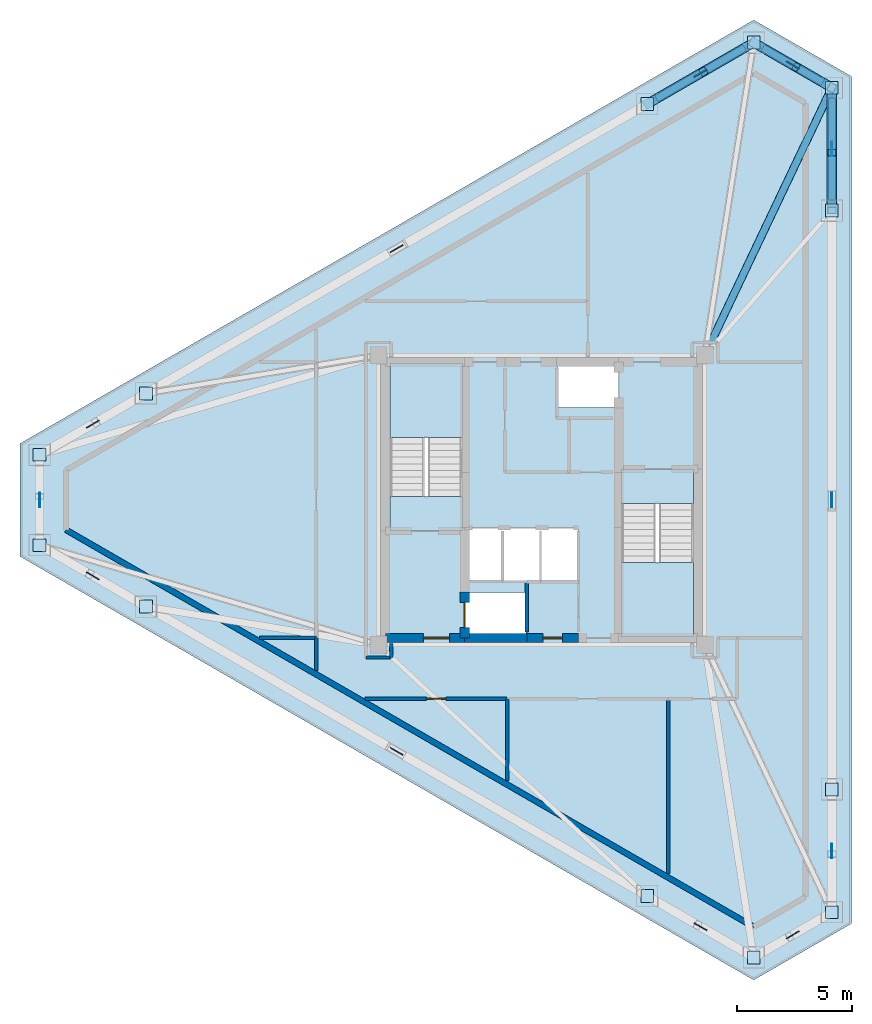
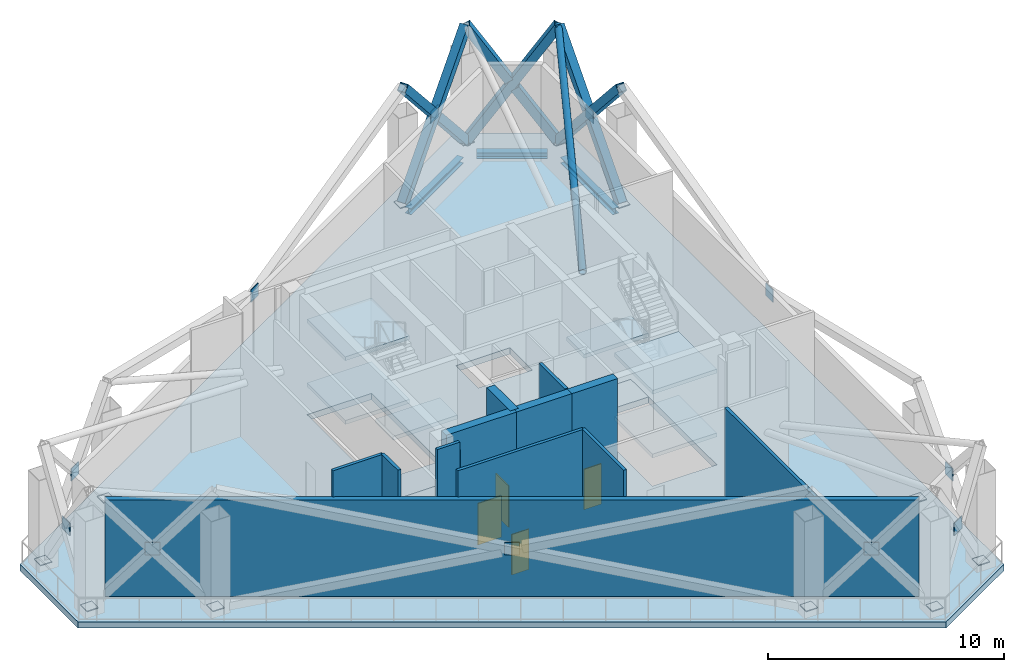
# One storey, part 2 of 6: 24 plates, 13 walls, 10 members, 9 slabs, 4 doors, 3 beams, 4 openings, 2 elements without a shape of their own.
"""IFC4 building model written with IfcOpenShell, lengths in metres."""

from ifc_helpers import new_model, si_unit, direction, frame, frame_2d, origin, origin_2d, place, context, subcontext, project, spatial, polyline, rectangle, hollow_rectangle, hollow_circle, i_section, outline, extrude, material, layer, layer_set, material_profile, profile_set, type_object, element, fill, aggregate, save


model = new_model("IFC4")

# Units and contexts
model_context = context("Model", 3, precision=1e-05, world=origin(), true_north=direction((0.0, 1.0)))
body_context = subcontext(model_context, "Body", "Model", "MODEL_VIEW")
ifc_project = project(units=[si_unit("LENGTHUNIT", "METRE"), si_unit("AREAUNIT", "SQUARE_METRE"), si_unit("VOLUMEUNIT", "CUBIC_METRE"), si_unit("PLANEANGLEUNIT", "RADIAN"), si_unit("MASSUNIT", "GRAM", prefix="KILO")], contexts=[model_context])

# Site, building, storey
site_placement = place(None, origin())
site = spatial("IfcSite", under=ifc_project, at=site_placement, CompositionType="ELEMENT")
building_placement = place(site_placement, origin())
building = spatial("IfcBuilding", under=site, at=building_placement, Name="Mersakhor Tower and Convention Hall", CompositionType="ELEMENT")
storey_placement = place(building_placement, frame((0.0, 0.0, 160.800048828125)))
storey = spatial("IfcBuildingStorey", under=building, at=storey_placement, Name="L45", CompositionType="ELEMENT", Elevation=160.800048828125)

# Beams
ifc_material_1 = material(Name="Steel S355", Category="steel")
ifc_material_profile_1 = material_profile(ifc_material_1, i_section(OverallWidth=0.30908203125, OverallDepth=0.320556640625, WebThickness=0.013916015625, FlangeThickness=0.021728515625, at=origin_2d()), Name="UC 305x305x137")
ifc_profile_set_1 = profile_set([ifc_material_profile_1], Name="Steel S355")
beam_type = type_object("IfcBeamType", Name="BM-SPD-UC305", PredefinedType="SPANDREL", material=ifc_profile_set_1)
beam_1_placement = place(storey_placement, frame((33.986572265625, 44.200439453125, -0.48046875), z_axis=(0.866038875684, 0.49997666526, 0.0), x_axis=(-0.49997666526, 0.866038875684, 0.0)))
element("IfcBeam", 1, at=beam_1_placement, inside=storey, type_object=beam_type, Name="L45 Perimeter Spandrel Beam SPB-03", PredefinedType="SPANDREL", context=body_context, shape_type="SweptSolid", body=[
    extrude(i_section(OverallWidth=0.30908203125, OverallDepth=0.320556640625, WebThickness=0.013916015625, FlangeThickness=0.021728515625, at=origin_2d()), origin(), (0.0, 0.0, 1.0), 4.433837890625),
])
beam_2_placement = place(storey_placement, frame((38.614501953125, 46.417236328125, -0.48046875), z_axis=(0.86604667077, -0.499963162692, 0.0), x_axis=(0.499963162692, 0.86604667077, 0.0)))
element("IfcBeam", 2, at=beam_2_placement, inside=storey, type_object=beam_type, Name="L45 Perimeter Spandrel Beam SPB-04", PredefinedType="SPANDREL", context=body_context, shape_type="SweptSolid", body=[
    extrude(i_section(OverallWidth=0.30908203125, OverallDepth=0.320556640625, WebThickness=0.013916015625, FlangeThickness=0.021728515625, at=origin_2d()), origin(), (0.0, 0.0, 1.0), 3.014404296875),
])
beam_3_placement = place(storey_placement, frame((41.619140625, 44.2275390625, -0.48046875), z_axis=(0.0, -1.0, 0.0), x_axis=(1.0, 0.0, 0.0)))
element("IfcBeam", 3, at=beam_3_placement, inside=storey, type_object=beam_type, Name="L45 Perimeter Spandrel Beam SPB-05", PredefinedType="SPANDREL", context=body_context, shape_type="SweptSolid", body=[
    extrude(i_section(OverallWidth=0.30908203125, OverallDepth=0.320556640625, WebThickness=0.013916015625, FlangeThickness=0.021728515625, at=origin_2d()), origin(), (0.0, 0.0, 1.0), 4.433837890625),
])

# Members
ifc_material_2 = material(Name="Steel S460", Category="steel")
ifc_material_profile_2 = material_profile(ifc_material_2, hollow_rectangle(XDim=0.39990234375, YDim=0.39990234375, WallThickness=0.02490234375, at=origin_2d()), Name="SHS 400x400x25")
ifc_profile_set_2 = profile_set([ifc_material_profile_2], Name="Steel S460")
member_type_1 = type_object("IfcMemberType", Name="MB-BRC-SHS400", PredefinedType="BRACE", material=ifc_profile_set_2)
member_1_placement = place(storey_placement, frame((33.592529296875, 43.972900390625, 0.199951171875), z_axis=(0.575991748478, 0.332541342865, 0.746759506783), x_axis=(-0.499991375441, 0.866030383119, 0.0)))
element("IfcMember", 4, at=member_1_placement, inside=storey, type_object=member_type_1, Name="L45 Wind Zone Perimeter Diagonal WD-03A", PredefinedType="BRACE", context=body_context, shape_type="SweptSolid", body=[
    extrude(hollow_rectangle(XDim=0.39990234375, YDim=0.39990234375, WallThickness=0.02490234375, at=origin_2d()), origin(), (0.0, 0.0, 1.0), 8.03466796875),
])
for number, where, z_axis, x_axis, name in (
    (5, (38.220458984375, 46.644775390625, 0.199951171875), (-0.575976575394, -0.33254569196, 0.746769273173), (0.500006158363, -0.866021848223, 0.0), "L45 Wind Zone Perimeter Diagonal WD-03B Lower Half"),
    (6, (35.785888671875, 45.2392578125, 3.356201171875), (-0.575976575394, -0.33254569196, 0.746769273173), (0.500006158363, -0.866021848223, 0.0), "L45 Wind Zone Perimeter Diagonal WD-03B Upper Half"),
):
    element("IfcMember", number, at=place(storey_placement, frame(where, z_axis=z_axis, x_axis=x_axis)), inside=storey, type_object=member_type_1, Name=name, PredefinedType="BRACE", context=body_context, shape_type="SweptSolid", body=[
        extrude(hollow_rectangle(XDim=0.39990234375, YDim=0.39990234375, WallThickness=0.02490234375, at=origin_2d()), origin(), (0.0, 0.0, 1.0), 3.80810546875),
    ])
member_2_placement = place(storey_placement, frame((38.220458984375, 46.644775390625, 0.199951171875), z_axis=(0.474050131864, -0.273682990431, 0.836883560138), x_axis=(0.499986324622, 0.866033299124, 0.0)))
element("IfcMember", 7, at=member_2_placement, inside=storey, type_object=member_type_1, Name="L45 Wind Zone Perimeter Diagonal WD-04A", PredefinedType="BRACE", context=body_context, shape_type="SweptSolid", body=[
    extrude(hollow_rectangle(XDim=0.39990234375, YDim=0.39990234375, WallThickness=0.02490234375, at=origin_2d()), origin(), (0.0, 0.0, 1.0), 7.16943359375),
])
for number, where, z_axis, x_axis, name in (
    (8, (41.619140625, 44.6826171875, 0.199951171875), (-0.474051102869, 0.273700721101, 0.836877211506), (-0.500009850223, -0.866019716681, 0.0), "L45 Wind Zone Perimeter Diagonal WD-04B Lower Half"),
    (9, (39.8125, 45.7255859375, 3.389404296875), (-0.474051102869, 0.273700721101, 0.836877211506), (-0.500009850223, -0.866019716681, 0.0), "L45 Wind Zone Perimeter Diagonal WD-04B Upper Half"),
):
    element("IfcMember", number, at=place(storey_placement, frame(where, z_axis=z_axis, x_axis=x_axis)), inside=storey, type_object=member_type_1, Name=name, PredefinedType="BRACE", context=body_context, shape_type="SweptSolid", body=[
        extrude(hollow_rectangle(XDim=0.39990234375, YDim=0.39990234375, WallThickness=0.02490234375, at=origin_2d()), origin(), (0.0, 0.0, 1.0), 3.3583984375),
    ])
member_3_placement = place(storey_placement, frame((41.619140625, 44.6826171875, 0.199951171875), z_axis=(0.0, -0.66510470489, 0.746750113179), x_axis=(1.0, 0.0, 0.0)))
element("IfcMember", 10, at=member_3_placement, inside=storey, type_object=member_type_1, Name="L45 Wind Zone Perimeter Diagonal WD-05A", PredefinedType="BRACE", context=body_context, shape_type="SweptSolid", body=[
    extrude(hollow_rectangle(XDim=0.39990234375, YDim=0.39990234375, WallThickness=0.02490234375, at=origin_2d()), origin(), (0.0, 0.0, 1.0), 8.034912109375),
])
for number, where, z_axis, x_axis, name in (
    (11, (41.619140625, 39.338623046875, 0.199951171875), (0.0, 0.665087760425, 0.746765204688), (-1.0, 0.0, 0.0), "L45 Wind Zone Perimeter Diagonal WD-05B Lower Half"),
    (12, (41.619140625, 42.14990234375, 3.356201171875), (0.0, 0.665087760425, 0.746765204688), (-1.0, 0.0, 0.0), "L45 Wind Zone Perimeter Diagonal WD-05B Upper Half"),
):
    element("IfcMember", number, at=place(storey_placement, frame(where, z_axis=z_axis, x_axis=x_axis)), inside=storey, type_object=member_type_1, Name=name, PredefinedType="BRACE", context=body_context, shape_type="SweptSolid", body=[
        extrude(hollow_rectangle(XDim=0.39990234375, YDim=0.39990234375, WallThickness=0.02490234375, at=origin_2d()), origin(), (0.0, 0.0, 1.0), 3.80810546875),
    ])
ifc_material_3 = material(Name="Steel S355", Category="steel")
ifc_material_profile_3 = material_profile(ifc_material_3, hollow_circle(Radius=0.161865234375, WallThickness=0.02001953125, at=origin_2d()), Name="CHS 323.9x20")
ifc_profile_set_3 = profile_set([ifc_material_profile_3], Name="Steel S355")
member_type_2 = type_object("IfcMemberType", Name="MB-STR-CHS324", PredefinedType="STRUT", material=ifc_profile_set_3)
member_4_placement = place(storey_placement, frame((36.10009765625, 33.050048828125, 2.3798828125), z_axis=(0.410943712388, 0.866152130591, 0.284439364228), x_axis=(-0.903470868878, 0.428649494446, 0.0)))
element("IfcMember", 13, at=member_4_placement, inside=storey, type_object=member_type_2, Name="L45 Radial Structural Strut RS-4", PredefinedType="STRUT", context=body_context, shape_type="SweptSolid", body=[
    extrude(hollow_circle(Radius=0.161865234375, WallThickness=0.02001953125, at=origin_2d()), origin(), (0.0, 0.0, 1.0), 13.43017578125),
])

# Plates
ifc_material_4 = material(Name="Steel S355", Category="steel")
ifc_layer_1 = layer(ifc_material_4, 0.031982421875)
ifc_layer_set_1 = layer_set([ifc_layer_1], Name="Steel S355")
plate_type_1 = type_object("IfcPlateType", Name="PL-CAP-32", PredefinedType="SHEET", material=ifc_layer_set_1)
for number, where, z_axis, x_axis, name in (
    (14, (7.160400390625, 28.71240234375, 0.18408203125), (0.0, 0.0, 1.0), (1.0, 0.0, 0.0), "L45 Truss Node Cap Plate NC-01"),
    (15, (11.788330078125, 31.38427734375, 0.18408203125), (0.0, 0.0, 1.0), (1.0, 0.0, 0.0), "L45 Truss Node Cap Plate NC-02"),
    (16, (33.592529296875, 43.972900390625, 0.18408203125), (0.0, 0.0, 1.0), (1.0, 0.0, 0.0), "L45 Truss Node Cap Plate NC-03"),
    (17, (38.220458984375, 46.644775390625, 0.18408203125), (0.0, 0.0, 1.0), (1.0, 0.0, 0.0), "L45 Truss Node Cap Plate NC-04"),
    (18, (41.619140625, 44.6826171875, 0.18408203125), (0.0, 0.0, 1.0), (1.0, 0.0, 0.0), "L45 Truss Node Cap Plate NC-05"),
    (19, (41.619140625, 39.338623046875, 0.18408203125), (0.0, 0.0, 1.0), (1.0, 0.0, 0.0), "L45 Truss Node Cap Plate NC-06"),
    (20, (41.619140625, 14.161376953125, 0.18408203125), (0.0, 0.0, 1.0), (1.0, 0.0, 0.0), "L45 Truss Node Cap Plate NC-07"),
    (21, (41.619140625, 8.8173828125, 0.18408203125), (0.0, 0.0, 1.0), (1.0, 0.0, 0.0), "L45 Truss Node Cap Plate NC-08"),
    (22, (38.220458984375, 6.855224609375, 0.18408203125), (0.0, 0.0, 1.0), (1.0, 0.0, 0.0), "L45 Truss Node Cap Plate NC-09"),
    (23, (33.592529296875, 9.527099609375, 0.18408203125), (0.0, 0.0, 1.0), (1.0, 0.0, 0.0), "L45 Truss Node Cap Plate NC-10"),
    (24, (11.788330078125, 22.11572265625, 0.18408203125), (0.0, 0.0, 1.0), (1.0, 0.0, 0.0), "L45 Truss Node Cap Plate NC-11"),
    (25, (7.160400390625, 24.78759765625, 0.18408203125), (0.0, 0.0, 1.0), (1.0, 0.0, 0.0), "L45 Truss Node Cap Plate NC-12"),
):
    element("IfcPlate", number, at=place(storey_placement, frame(where, z_axis=z_axis, x_axis=x_axis)), inside=storey, type_object=plate_type_1, Name=name, PredefinedType="SHEET", context=body_context, shape_type="SweptSolid", body=[
        extrude(rectangle(XDim=0.550048828125, YDim=0.550048828125, at=origin_2d()), origin(), (0.0, 0.0, 1.0), 0.031982421875),
    ])
ifc_material_5 = material(Name="Steel S460", Category="steel")
ifc_layer_2 = layer(ifc_material_5, 0.0400390625)
ifc_layer_set_2 = layer_set([ifc_layer_2], Name="Steel S460")
plate_type_2 = type_object("IfcPlateType", Name="PL-GUSSET-40", PredefinedType="SHEET", material=ifc_layer_set_2)
for number, where, z_axis, x_axis, name in (
    (26, (9.474365234375, 30.048095703125, 2.8798828125), (0.0, 0.0, 1.0), (-0.866025403784, -0.5, 0.0), "L45 X-Brace Crossing Gusset Node Plate"),
    (27, (22.6904296875, 37.6787109375, 2.8798828125), (0.0, 0.0, 1.0), (-0.866025403784, -0.5, 0.0), "L45 X-Brace Crossing Gusset Node Plate"),
    (28, (35.906494140625, 45.308837890625, 2.8798828125), (0.0, 0.0, 1.0), (-0.866025403784, -0.5, 0.0), "L45 X-Brace Crossing Gusset Node Plate"),
    (29, (39.919921875, 45.663818359375, 2.8798828125), (0.0, 0.0, 1.0), (-0.866025403784, 0.5, 0.0), "L45 X-Brace Crossing Gusset Node Plate"),
    (30, (41.619140625, 42.010498046875, 2.8798828125), (0.0, 0.0, 1.0), (0.0, 1.0, 0.0), "L45 X-Brace Crossing Gusset Node Plate"),
    (31, (41.619140625, 26.75, 2.8798828125), (0.0, 0.0, 1.0), (0.0, 1.0, 0.0), "L45 X-Brace Crossing Gusset Node Plate"),
    (32, (41.619140625, 11.4892578125, 2.8798828125), (0.0, 0.0, 1.0), (0.0, 1.0, 0.0), "L45 X-Brace Crossing Gusset Node Plate"),
    (33, (39.919921875, 7.836181640625, 2.8798828125), (0.0, 0.0, 1.0), (0.866025403784, 0.5, 0.0), "L45 X-Brace Crossing Gusset Node Plate"),
    (34, (35.906494140625, 8.191162109375, 2.8798828125), (0.0, 0.0, 1.0), (0.866025403784, -0.5, 0.0), "L45 X-Brace Crossing Gusset Node Plate"),
    (35, (22.6904296875, 15.821533203125, 2.8798828125), (0.0, 0.0, 1.0), (0.866025403784, -0.5, 0.0), "L45 X-Brace Crossing Gusset Node Plate"),
    (36, (9.474365234375, 23.451904296875, 2.8798828125), (0.0, 0.0, 1.0), (0.866025403784, -0.5, 0.0), "L45 X-Brace Crossing Gusset Node Plate"),
    (37, (7.160400390625, 26.75, 2.8798828125), (0.0, 0.0, 1.0), (0.0, -1.0, 0.0), "L45 X-Brace Crossing Gusset Node Plate"),
):
    element("IfcPlate", number, at=place(storey_placement, frame(where, z_axis=z_axis, x_axis=x_axis)), inside=storey, type_object=plate_type_2, Name=name, PredefinedType="SHEET", context=body_context, shape_type="SweptSolid", body=[
        extrude(rectangle(XDim=0.639892578125, YDim=0.0400390625, at=origin_2d()), origin(), (0.0, 0.0, 1.0), 0.639892578125),
    ])

# Slabs
ifc_material_6 = material(Name="Concrete C45/55", Category="concrete")
ifc_layer_3 = layer(ifc_material_6, 0.320068359375)
ifc_layer_set_3 = layer_set([ifc_layer_3], Name="Concrete C45/55")
slab_type_1 = type_object("IfcSlabType", Name="SL-FLR-320", PredefinedType="FLOOR", material=ifc_layer_set_3)
slab_1_placement = place(storey_placement, frame((0.0, 0.0, -0.320068359375)))
element("IfcSlab", 38, at=slab_1_placement, inside=storey, type_object=slab_type_1, Name="L45 ST-1 Structural Stair Floor Landing", PredefinedType="LANDING", context=body_context, shape_type="SweptSolid", body=[
    extrude(outline(polyline([(25.550048828125, 25.39990234375), (25.550048828125, 26.89990234375), (22.39990234375, 26.89990234375), (22.39990234375, 25.39990234375), (25.550048828125, 25.39990234375)])), origin(), (0.0, 0.0, 1.0), 0.320068359375),
])
slab_2_placement = place(storey_placement, frame((0.0, 0.0, -0.320068359375)))
element("IfcSlab", 39, at=slab_2_placement, inside=storey, type_object=slab_type_1, Name="L45 ST-2 Structural Stair Floor Landing", PredefinedType="LANDING", context=body_context, shape_type="SweptSolid", body=[
    extrude(outline(polyline([(32.449951171875, 28.10009765625), (32.449951171875, 26.60009765625), (35.60009765625, 26.60009765625), (35.60009765625, 28.10009765625), (32.449951171875, 28.10009765625)])), origin(), (0.0, 0.0, 1.0), 0.320068359375),
])
slab_3_placement = place(storey_placement, frame((0.0, 0.0, -0.320068359375)))
element("IfcSlab", 40, at=slab_3_placement, inside=storey, type_object=slab_type_1, Name="Tower L45 Structural Floor Slab", PredefinedType="FLOOR", context=body_context, shape_type="SweptSolid", body=[
    extrude(outline(polyline([(6.310302734375, 29.202880859375), (38.220458984375, 47.626220703125), (42.46923828125, 45.17333984375), (42.46923828125, 8.32666015625), (38.220458984375, 5.873779296875), (6.310302734375, 24.297119140625), (6.310302734375, 29.202880859375)]), holes=[polyline([(25.550048828125, 25.39990234375), (25.550048828125, 32.699951171875), (22.39990234375, 32.699951171875), (22.39990234375, 25.39990234375), (25.550048828125, 25.39990234375)]), polyline([(32.449951171875, 28.10009765625), (32.449951171875, 20.800048828125), (35.60009765625, 20.800048828125), (35.60009765625, 28.10009765625), (32.449951171875, 28.10009765625)]), polyline([(25.679931640625, 20.820068359375), (25.679931640625, 22.719970703125), (28.320068359375, 22.719970703125), (28.320068359375, 20.820068359375), (25.679931640625, 20.820068359375)]), polyline([(29.679931640625, 30.780029296875), (29.679931640625, 32.679931640625), (32.320068359375, 32.679931640625), (32.320068359375, 30.780029296875), (29.679931640625, 30.780029296875)]), polyline([(25.679931640625, 23.25), (25.679931640625, 25.5), (30.570068359375, 25.5), (30.570068359375, 23.25), (25.679931640625, 23.25)])]), origin(), (0.0, 0.0, 1.0), 0.320068359375),
])

# Stair, slabs
ifc_material_7 = material(Name="Concrete C45/55", Category="concrete")
stair_type = type_object("IfcStairType", Name="ST-TWR-40R", PredefinedType="HALF_TURN_STAIR", material=ifc_material_7)
stair_1_placement = place(storey_placement, origin())
stair_1 = element("IfcStair", 41, at=stair_1_placement, inside=storey, type_object=stair_type, Name="L45 Tower Protected Exit Stair ST-1", PredefinedType="HALF_TURN_STAIR")
ifc_material_8 = material(Name="Concrete C45/55", Category="concrete")
ifc_layer_4 = layer(ifc_material_8, 0.199951171875)
ifc_layer_set_4 = layer_set([ifc_layer_4], Name="Concrete C45/55")
slab_type_2 = type_object("IfcSlabType", Name="SL-LAND-200", PredefinedType="LANDING", material=ifc_layer_set_4)
slab_4_placement = place(storey_placement, frame((0.0, 0.0, 1.449951171875)))
slab_4 = element("IfcSlab", 42, at=slab_4_placement, type_object=slab_type_2, Name="ST-1 landing 1", PredefinedType="LANDING", context=body_context, shape_type="SweptSolid", body=[
    extrude(outline(polyline([(25.550048828125, 29.465087890625), (25.550048828125, 32.699951171875), (22.39990234375, 32.699951171875), (22.39990234375, 29.465087890625), (25.550048828125, 29.465087890625)])), origin(), (0.0, 0.0, 1.0), 0.199951171875),
])
slab_5_placement = place(storey_placement, frame((0.0, 0.0, 3.099853515625)))
slab_5 = element("IfcSlab", 43, at=slab_5_placement, type_object=slab_type_2, Name="ST-1 landing 2", PredefinedType="LANDING", context=body_context, shape_type="SweptSolid", body=[
    extrude(outline(polyline([(25.550048828125, 25.39990234375), (25.550048828125, 26.89990234375), (22.39990234375, 26.89990234375), (22.39990234375, 25.39990234375), (25.550048828125, 25.39990234375)])), origin(), (0.0, 0.0, 1.0), 0.2001953125),
])
slab_6_placement = place(storey_placement, frame((0.0, 0.0, 4.75)))
slab_6 = element("IfcSlab", 44, at=slab_6_placement, type_object=slab_type_2, Name="ST-1 landing 3", PredefinedType="LANDING", context=body_context, shape_type="SweptSolid", body=[
    extrude(outline(polyline([(25.550048828125, 29.465087890625), (25.550048828125, 32.699951171875), (22.39990234375, 32.699951171875), (22.39990234375, 29.465087890625), (25.550048828125, 29.465087890625)])), origin(), (0.0, 0.0, 1.0), 0.199951171875),
])
aggregate(stair_1, [slab_4, slab_5, slab_6])

stair_2_placement = place(storey_placement, origin())
stair_2 = element("IfcStair", 45, at=stair_2_placement, inside=storey, type_object=stair_type, Name="L45 Tower Protected Exit Stair ST-2", PredefinedType="HALF_TURN_STAIR")
slab_7_placement = place(storey_placement, frame((0.0, 0.0, 1.449951171875)))
slab_7 = element("IfcSlab", 46, at=slab_7_placement, type_object=slab_type_2, Name="ST-2 landing 1", PredefinedType="LANDING", context=body_context, shape_type="SweptSolid", body=[
    extrude(outline(polyline([(32.449951171875, 24.034912109375), (32.449951171875, 20.800048828125), (35.60009765625, 20.800048828125), (35.60009765625, 24.034912109375), (32.449951171875, 24.034912109375)])), origin(), (0.0, 0.0, 1.0), 0.199951171875),
])
slab_8_placement = place(storey_placement, frame((0.0, 0.0, 3.099853515625)))
slab_8 = element("IfcSlab", 47, at=slab_8_placement, type_object=slab_type_2, Name="ST-2 landing 2", PredefinedType="LANDING", context=body_context, shape_type="SweptSolid", body=[
    extrude(outline(polyline([(32.449951171875, 28.10009765625), (32.449951171875, 26.60009765625), (35.60009765625, 26.60009765625), (35.60009765625, 28.10009765625), (32.449951171875, 28.10009765625)])), origin(), (0.0, 0.0, 1.0), 0.2001953125),
])
slab_9_placement = place(storey_placement, frame((0.0, 0.0, 4.75)))
slab_9 = element("IfcSlab", 48, at=slab_9_placement, type_object=slab_type_2, Name="ST-2 landing 3", PredefinedType="LANDING", context=body_context, shape_type="SweptSolid", body=[
    extrude(outline(polyline([(32.449951171875, 24.034912109375), (32.449951171875, 20.800048828125), (35.60009765625, 20.800048828125), (35.60009765625, 24.034912109375), (32.449951171875, 24.034912109375)])), origin(), (0.0, 0.0, 1.0), 0.199951171875),
])
aggregate(stair_2, [slab_7, slab_8, slab_9])

# Walls
ifc_material_9 = material(Name="Precast concrete C40/50", Category="concrete")
ifc_layer_5 = layer(ifc_material_9, 0.25)
ifc_layer_set_5 = layer_set([ifc_layer_5], Name="Precast concrete C40/50")
wall_type_1 = type_object("IfcWallType", Name="WL-EXT-250", PredefinedType="SOLIDWALL", material=ifc_layer_set_5)
wall_1_placement = place(storey_placement, frame((38.220458984375, 8.18310546875, 0.0), z_axis=(0.0, 0.0, 1.0), x_axis=(-0.866026432802, 0.499998217685, 0.0)))
element("IfcWall", 49, at=wall_1_placement, inside=storey, type_object=wall_type_1, Name="L45 Set-Back Refuge and Plant Enclosure Wall 5", PredefinedType="SOLIDWALL", context=body_context, shape_type="SweptSolid", body=[
    extrude(rectangle(XDim=34.537353515625, YDim=0.25, at=frame_2d((17.2685546875, 0.0))), origin(), (0.0, 0.0, 1.0), 5.0048828125),
])
ifc_material_10 = material(Name="Fire-rated gypsum board stud partition", Category="other")
ifc_layer_6 = layer(ifc_material_10, 0.14990234375)
ifc_layer_set_6 = layer_set([ifc_layer_6], Name="Fire-rated gypsum board stud partition")
wall_type_2 = type_object("IfcWallType", Name="WL-PRT-150", PredefinedType="PARTITIONING", material=ifc_layer_set_6)
wall_2_placement = place(storey_placement, frame((28.35009765625, 23.199951171875, 0.0), z_axis=(0.0, 0.0, 1.0), x_axis=(0.0, -1.0, 0.0)))
element("IfcWall", 50, at=wall_2_placement, inside=storey, type_object=wall_type_2, Name="L45 Interior Partition Wall P-003", PredefinedType="PARTITIONING", context=body_context, shape_type="SweptSolid", body=[
    extrude(rectangle(XDim=2.199951171875, YDim=0.14990234375, at=frame_2d((1.10009765625, 0.0))), origin(), (0.0, 0.0, 1.0), 6.369873046875),
])
wall_3_placement = place(storey_placement, frame((21.35009765625, 19.89990234375, 0.0), z_axis=(0.0, 0.0, 1.0), x_axis=(1.0, 0.0, 0.0)))
element("IfcWall", 51, at=wall_3_placement, inside=storey, type_object=wall_type_2, Name="L45 Interior Partition Wall P-021", PredefinedType="PARTITIONING", context=body_context, shape_type="SweptSolid", body=[
    extrude(rectangle(XDim=1.099853515625, YDim=0.14990234375, at=frame_2d((0.5498046875, 0.0))), origin(), (0.0, 0.0, 1.0), 6.369873046875),
])
wall_4_placement = place(storey_placement, frame((22.449951171875, 19.89990234375, 0.0), z_axis=(0.0, 0.0, 1.0), x_axis=(0.0, 1.0, 0.0)))
element("IfcWall", 52, at=wall_4_placement, inside=storey, type_object=wall_type_2, Name="L45 Interior Partition Wall P-022", PredefinedType="PARTITIONING", context=body_context, shape_type="SweptSolid", body=[
    extrude(rectangle(XDim=0.60009765625, YDim=0.14990234375, at=frame_2d((0.300048828125, 0.0))), origin(), (0.0, 0.0, 1.0), 5.89501953125),
])

# Wall, opening, door
wall_5_placement = place(storey_placement, frame((27.5, 18.10009765625, 0.0), z_axis=(0.0, 0.0, 1.0), x_axis=(-1.0, 0.0, 0.0)))
wall_5 = element("IfcWall", 53, at=wall_5_placement, inside=storey, type_object=wall_type_2, Name="L45 Interior Partition Wall P-030", PredefinedType="PARTITIONING", context=body_context, shape_type="SweptSolid", body=[
    extrude(rectangle(XDim=6.185302734375, YDim=0.14990234375, at=frame_2d((3.0927734375, 0.0))), origin(), (0.0, 0.0, 1.0), 6.369873046875),
])
opening_1_placement = place(wall_5_placement, frame((2.66748046875, 0.0, 0.0)))
opening_1 = element("IfcOpeningElement", 54, at=opening_1_placement, cuts=wall_5, Name="Opening SVD-01", PredefinedType="OPENING", context=body_context, shape_type="SweptSolid", body=[
    extrude(rectangle(XDim=0.85009765625, YDim=2.10009765625, at=frame_2d((0.425048828125, 1.050048828125))), frame((0.0, 0.0849609375, 0.0), z_axis=(0.0, -1.0, 0.0), x_axis=(1.0, 0.0, 0.0)), (0.0, 0.0, 1.0), 0.169921875),
])
ifc_material_11 = material(Name="Fire-rated hardwood leaf and painted steel frame", Category="steel")
door_type_1 = type_object("IfcDoorType", Name="DR-INT-SVC-085x210", OperationType="NOTDEFINED", PredefinedType="DOOR", material=ifc_material_11)
door_1_placement = place(opening_1_placement, origin())
door_1 = element("IfcDoor", 55, at=door_1_placement, inside=storey, type_object=door_type_1, Name="L45 L45 Mechanical Plant and Refuge Corridor to HV Electrical Switchgear Plant Room Door", OperationType="SINGLE_SWING_LEFT", OverallHeight=2.10009765625, OverallWidth=0.85009765625, PredefinedType="DOOR", context=body_context, shape_type="SweptSolid", body=[
    extrude(rectangle(XDim=0.85009765625, YDim=2.10009765625, at=frame_2d((0.425048828125, 1.050048828125))), frame((0.0, 0.02490234375, 0.0), z_axis=(0.0, -1.0, 0.0), x_axis=(1.0, 0.0, 0.0)), (0.0, 0.0, 1.0), 0.050048828125),
])
fill(opening_1, door_1)

# Walls
wall_6_placement = place(storey_placement, frame((19.199951171875, 19.336669921875, 0.0), z_axis=(0.0, 0.0, 1.0), x_axis=(0.0, 1.0, 0.0)))
element("IfcWall", 56, at=wall_6_placement, inside=storey, type_object=wall_type_2, Name="L45 Interior Partition Wall P-031", PredefinedType="PARTITIONING", context=body_context, shape_type="SweptSolid", body=[
    extrude(rectangle(XDim=1.413330078125, YDim=0.14990234375, at=frame_2d((0.70654296875, 0.0))), origin(), (0.0, 0.0, 1.0), 6.369873046875),
])
wall_7_placement = place(storey_placement, frame((19.199951171875, 20.75, 0.0), z_axis=(0.0, 0.0, 1.0), x_axis=(-1.0, 0.0, 0.0)))
element("IfcWall", 57, at=wall_7_placement, inside=storey, type_object=wall_type_2, Name="L45 Interior Partition Wall P-041", PredefinedType="PARTITIONING", context=body_context, shape_type="SweptSolid", body=[
    extrude(rectangle(XDim=2.47509765625, YDim=0.14990234375, at=frame_2d((1.237548828125, 0.0))), origin(), (0.0, 0.0, 1.0), 6.369873046875),
])
wall_8_placement = place(storey_placement, frame((27.5, 18.10009765625, 0.0), z_axis=(0.0, 0.0, 1.0), x_axis=(0.0, -1.0, 0.0)))
element("IfcWall", 58, at=wall_8_placement, inside=storey, type_object=wall_type_2, Name="L45 Interior Partition Wall P-042", PredefinedType="PARTITIONING", context=body_context, shape_type="SweptSolid", body=[
    extrude(rectangle(XDim=3.555419921875, YDim=0.14990234375, at=frame_2d((1.77783203125, 0.0))), origin(), (0.0, 0.0, 1.0), 6.369873046875),
])
wall_9_placement = place(storey_placement, frame((34.5, 18.10009765625, 0.0), z_axis=(0.0, 0.0, 1.0), x_axis=(0.0, -1.0, 0.0)))
element("IfcWall", 59, at=wall_9_placement, inside=storey, type_object=wall_type_2, Name="L45 Interior Partition Wall P-043", PredefinedType="PARTITIONING", context=body_context, shape_type="SweptSolid", body=[
    extrude(rectangle(XDim=7.596923828125, YDim=0.14990234375, at=frame_2d((3.79833984375, 0.0))), origin(), (0.0, 0.0, 1.0), 5.0048828125),
])

# Wall, opening, door
ifc_material_12 = material(Name="Concrete C60/75", Category="concrete")
ifc_layer_7 = layer(ifc_material_12, 0.39990234375)
ifc_layer_set_7 = layer_set([ifc_layer_7], Name="Concrete C60/75")
wall_type_3 = type_object("IfcWallType", Name="WL-SHR-400", PredefinedType="SHEAR", material=ifc_layer_set_7)
wall_10_placement = place(storey_placement, frame((30.60009765625, 20.75, 0.0), z_axis=(0.0, 0.0, 1.0), x_axis=(-1.0, 0.0, 0.0)))
wall_10 = element("IfcWall", 60, at=wall_10_placement, inside=storey, type_object=wall_type_3, Name="L45 Core Wall CW-S2B", PredefinedType="SHEAR", context=body_context, shape_type="SweptSolid", body=[
    extrude(rectangle(XDim=2.25, YDim=0.39990234375, at=frame_2d((1.125, 0.0))), origin(), (0.0, 0.0, 1.0), 6.369873046875),
])
opening_2_placement = place(wall_10_placement, frame((0.699951171875, 0.0, 0.0)))
opening_2 = element("IfcOpeningElement", 61, at=opening_2_placement, cuts=wall_10, Name="Opening SVD-01", PredefinedType="OPENING", context=body_context, shape_type="SweptSolid", body=[
    extrude(rectangle(XDim=0.85009765625, YDim=2.10009765625, at=frame_2d((0.425048828125, 1.050048828125))), frame((0.0, 0.2099609375, 0.0), z_axis=(0.0, -1.0, 0.0), x_axis=(1.0, 0.0, 0.0)), (0.0, 0.0, 1.0), 0.419921875),
])
door_2_placement = place(opening_2_placement, origin())
door_2 = element("IfcDoor", 62, at=door_2_placement, inside=storey, type_object=door_type_1, Name="L45 L45 Mechanical Plant and Refuge Corridor to Core Electrical Distribution Plant Room Door", OperationType="SINGLE_SWING_LEFT", OverallHeight=2.10009765625, OverallWidth=0.85009765625, PredefinedType="DOOR", context=body_context, shape_type="SweptSolid", body=[
    extrude(rectangle(XDim=0.85009765625, YDim=2.10009765625, at=frame_2d((0.425048828125, 1.050048828125))), frame((0.0, 0.02490234375, 0.0), z_axis=(0.0, -1.0, 0.0), x_axis=(1.0, 0.0, 0.0)), (0.0, 0.0, 1.0), 0.050048828125),
])
fill(opening_2, door_2)

# Wall
wall_11_placement = place(storey_placement, frame((28.35009765625, 20.75, 0.0), z_axis=(0.0, 0.0, 1.0), x_axis=(-1.0, 0.0, 0.0)))
element("IfcWall", 63, at=wall_11_placement, inside=storey, type_object=wall_type_3, Name="L45 Core Wall CW-S3", PredefinedType="SHEAR", context=body_context, shape_type="SweptSolid", body=[
    extrude(rectangle(XDim=2.7001953125, YDim=0.39990234375, at=frame_2d((1.35009765625, 0.0))), origin(), (0.0, 0.0, 1.0), 6.369873046875),
])

# Wall, opening, door
wall_12_placement = place(storey_placement, frame((25.64990234375, 20.75, 0.0), z_axis=(0.0, 0.0, 1.0), x_axis=(-1.0, 0.0, 0.0)))
wall_12 = element("IfcWall", 64, at=wall_12_placement, inside=storey, type_object=wall_type_3, Name="L45 Core Wall CW-S4", PredefinedType="SHEAR", context=body_context, shape_type="SweptSolid", body=[
    extrude(rectangle(XDim=3.449951171875, YDim=0.39990234375, at=frame_2d((1.72509765625, 0.0))), origin(), (0.0, 0.0, 1.0), 6.369873046875),
])
opening_3_placement = place(wall_12_placement, frame((0.64990234375, 0.0, 0.0)))
opening_3 = element("IfcOpeningElement", 65, at=opening_3_placement, cuts=wall_12, Name="Opening SD-01", PredefinedType="OPENING", context=body_context, shape_type="SweptSolid", body=[
    extrude(rectangle(XDim=1.14990234375, YDim=2.14990234375, at=frame_2d((0.574951171875, 1.074951171875))), frame((0.0, 0.2099609375, 0.0), z_axis=(0.0, -1.0, 0.0), x_axis=(1.0, 0.0, 0.0)), (0.0, 0.0, 1.0), 0.419921875),
])
ifc_material_13 = material(Name="Fire-rated hardwood leaf and painted steel frame", Category="steel")
door_type_2 = type_object("IfcDoorType", Name="DR-INT-STAIR-115x215", OperationType="NOTDEFINED", PredefinedType="DOOR", material=ifc_material_13)
door_3_placement = place(opening_3_placement, origin())
door_3 = element("IfcDoor", 66, at=door_3_placement, inside=storey, type_object=door_type_2, Name="L45 Firefighting Lobby West Fire Door", OperationType="SINGLE_SWING_LEFT", OverallHeight=2.14990234375, OverallWidth=1.14990234375, PredefinedType="DOOR", context=body_context, shape_type="SweptSolid", body=[
    extrude(rectangle(XDim=1.14990234375, YDim=2.14990234375, at=frame_2d((0.574951171875, 1.074951171875))), frame((0.0, 0.02490234375, 0.0), z_axis=(0.0, -1.0, 0.0), x_axis=(1.0, 0.0, 0.0)), (0.0, 0.0, 1.0), 0.050048828125),
])
fill(opening_3, door_3)

wall_13_placement = place(storey_placement, frame((25.64990234375, 20.75, 0.0), z_axis=(0.0, 0.0, 1.0), x_axis=(0.0, 1.0, 0.0)))
wall_13 = element("IfcWall", 67, at=wall_13_placement, inside=storey, type_object=wall_type_3, Name="L45 Core Wall CS-W-FFL", PredefinedType="SHEAR", context=body_context, shape_type="SweptSolid", body=[
    extrude(rectangle(XDim=2.0, YDim=0.39990234375, at=frame_2d((1.0, 0.0))), origin(), (0.0, 0.0, 1.0), 6.369873046875),
])
opening_4_placement = place(wall_13_placement, frame((0.449951171875, 0.0, 0.0)))
opening_4 = element("IfcOpeningElement", 68, at=opening_4_placement, cuts=wall_13, Name="Opening LD-FFL1", PredefinedType="OPENING", context=body_context, shape_type="SweptSolid", body=[
    extrude(rectangle(XDim=1.10009765625, YDim=2.14990234375, at=frame_2d((0.550048828125, 1.074951171875))), frame((0.0, 0.2099609375, 0.0), z_axis=(0.0, -1.0, 0.0), x_axis=(1.0, 0.0, 0.0)), (0.0, 0.0, 1.0), 0.419921875),
])
ifc_material_14 = material(Name="Fire-rated brushed stainless steel sliding landing door", Category="steel")
door_type_3 = type_object("IfcDoorType", Name="DR-LIFT-SLD-110x215", OperationType="NOTDEFINED", PredefinedType="DOOR", material=ifc_material_14)
door_4_placement = place(opening_4_placement, origin())
door_4 = element("IfcDoor", 69, at=door_4_placement, inside=storey, type_object=door_type_3, Name="L45 Firefighting Lift Landing Door LD-FFL1", OperationType="SLIDING_TO_LEFT", OverallHeight=2.14990234375, OverallWidth=1.10009765625, PredefinedType="DOOR", context=body_context, shape_type="SweptSolid", body=[
    extrude(rectangle(XDim=1.10009765625, YDim=2.14990234375, at=frame_2d((0.550048828125, 1.074951171875))), frame((0.0, 0.02490234375, 0.0), z_axis=(0.0, -1.0, 0.0), x_axis=(1.0, 0.0, 0.0)), (0.0, 0.0, 1.0), 0.050048828125),
])
fill(opening_4, door_4)

save(model, "model.ifc")
